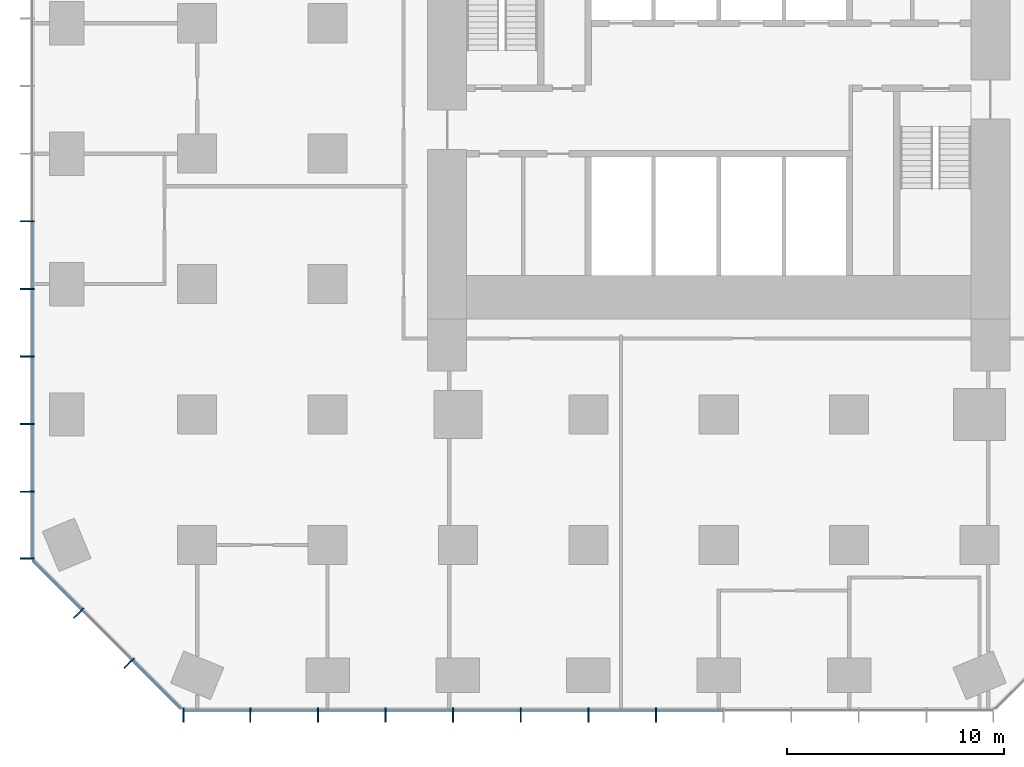
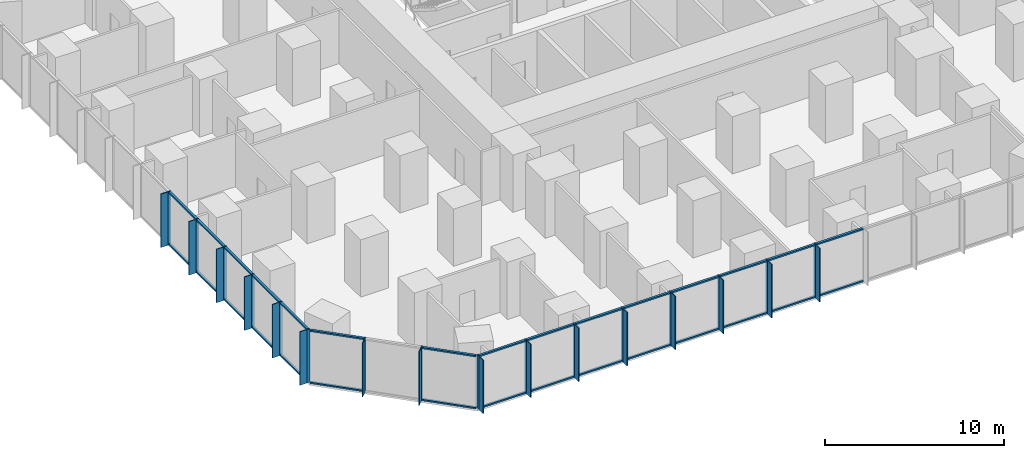
# One storey, part 2 of 12: 62 members, 3 elements without a shape of their own.
"""IFC4 building model written with IfcOpenShell, lengths in metres."""

from ifc_helpers import new_model, si_unit, direction, frame, origin, origin_2d, place, context, subcontext, project, spatial, rectangle, extrude, material, layer, layer_set, material_profile, profile_set, type_object, element, aggregate, save


model = new_model("IFC4")

# Units and contexts
model_context = context("Model", 3, precision=1e-05, world=origin(), true_north=direction((0.0, 1.0)))
body_context = subcontext(model_context, "Body", "Model", "MODEL_VIEW")
ifc_project = project(units=[si_unit("LENGTHUNIT", "METRE"), si_unit("AREAUNIT", "SQUARE_METRE"), si_unit("VOLUMEUNIT", "CUBIC_METRE"), si_unit("PLANEANGLEUNIT", "RADIAN"), si_unit("MASSUNIT", "GRAM", prefix="KILO")], contexts=[model_context])

# Site, building, storey
site_placement = place(None, origin())
site = spatial("IfcSite", under=ifc_project, at=site_placement, CompositionType="ELEMENT")
building_placement = place(site_placement, origin())
building = spatial("IfcBuilding", under=site, at=building_placement, Name="Highveld Stack Headquarters", CompositionType="ELEMENT")
storey_placement = place(building_placement, frame((0.0, 0.0, 37.699951171875)))
storey = spatial("IfcBuildingStorey", under=building, at=storey_placement, Name="L08", CompositionType="ELEMENT", Elevation=37.699951171875)

# Curtain wall, members
ifc_material_1 = material(Name="Aluminium bronze anodised", Category="aluminium")
ifc_layer_1 = layer(ifc_material_1, 0.199951171875)
ifc_layer_set_1 = layer_set([ifc_layer_1], Name="Aluminium bronze anodised")
curtain_wall_type_1 = type_object("IfcCurtainWallType", Name="CW1 TOWER UNITISED CURTAIN WALL", PredefinedType="NOTDEFINED", material=ifc_layer_set_1)
curtain_wall_1_placement = place(storey_placement, origin())
curtain_wall_1 = element("IfcCurtainWall", 1, at=curtain_wall_1_placement, inside=storey, type_object=curtain_wall_type_1, Name="Curtain wall CW1 L08 S", PredefinedType="NOTDEFINED")
ifc_material_2 = material(Name="Aluminium bronze anodised", Category="aluminium")
ifc_material_profile_1 = material_profile(ifc_material_2, rectangle(XDim=0.449951171875, YDim=0.06005859375, at=origin_2d()), Name="FIN 450x60")
ifc_profile_set_1 = profile_set([ifc_material_profile_1], Name="Aluminium bronze anodised")
member_type_1 = type_object("IfcMemberType", Name="CW1 BRONZE FIN 450x60", PredefinedType="USERDEFINED", material=ifc_profile_set_1)
member_1_placement = place(storey_placement, frame((-18.630126953125, -25.925048828125, 0.0), z_axis=(0.0, 0.0, 1.0), x_axis=(0.0, 1.0, 0.0)))
member_1 = element("IfcMember", 2, at=member_1_placement, type_object=member_type_1, Name="CW1 fin L08 1", ObjectType="FIN", PredefinedType="USERDEFINED", context=body_context, shape_type="SweptSolid", body=[
    extrude(rectangle(XDim=0.449951171875, YDim=0.06005859375, at=origin_2d()), origin(), (0.0, 0.0, 1.0), 3.650146484375),
])
member_2_placement = place(storey_placement, frame((-15.55224609375, -25.925048828125, 0.0), z_axis=(0.0, 0.0, 1.0), x_axis=(0.0, 1.0, 0.0)))
member_2 = element("IfcMember", 3, at=member_2_placement, type_object=member_type_1, Name="CW1 fin L08 2", ObjectType="FIN", PredefinedType="USERDEFINED", context=body_context, shape_type="SweptSolid", body=[
    extrude(rectangle(XDim=0.449951171875, YDim=0.06005859375, at=origin_2d()), origin(), (0.0, 0.0, 1.0), 3.650146484375),
])
member_3_placement = place(storey_placement, frame((-12.44189453125, -25.925048828125, 0.0), z_axis=(0.0, 0.0, 1.0), x_axis=(0.0, 1.0, 0.0)))
member_3 = element("IfcMember", 4, at=member_3_placement, type_object=member_type_1, Name="CW1 fin L08 3", ObjectType="FIN", PredefinedType="USERDEFINED", context=body_context, shape_type="SweptSolid", body=[
    extrude(rectangle(XDim=0.449951171875, YDim=0.06005859375, at=origin_2d()), origin(), (0.0, 0.0, 1.0), 3.650146484375),
])
member_4_placement = place(storey_placement, frame((-9.331298828125, -25.925048828125, 0.0), z_axis=(0.0, 0.0, 1.0), x_axis=(0.0, 1.0, 0.0)))
member_4 = element("IfcMember", 5, at=member_4_placement, type_object=member_type_1, Name="CW1 fin L08 4", ObjectType="FIN", PredefinedType="USERDEFINED", context=body_context, shape_type="SweptSolid", body=[
    extrude(rectangle(XDim=0.449951171875, YDim=0.06005859375, at=origin_2d()), origin(), (0.0, 0.0, 1.0), 3.650146484375),
])
member_5_placement = place(storey_placement, frame((-6.220947265625, -25.925048828125, 0.0), z_axis=(0.0, 0.0, 1.0), x_axis=(0.0, 1.0, 0.0)))
member_5 = element("IfcMember", 6, at=member_5_placement, type_object=member_type_1, Name="CW1 fin L08 5", ObjectType="FIN", PredefinedType="USERDEFINED", context=body_context, shape_type="SweptSolid", body=[
    extrude(rectangle(XDim=0.449951171875, YDim=0.06005859375, at=origin_2d()), origin(), (0.0, 0.0, 1.0), 3.650146484375),
])
member_6_placement = place(storey_placement, frame((-3.110595703125, -25.925048828125, 0.0), z_axis=(0.0, 0.0, 1.0), x_axis=(0.0, 1.0, 0.0)))
member_6 = element("IfcMember", 7, at=member_6_placement, type_object=member_type_1, Name="CW1 fin L08 6", ObjectType="FIN", PredefinedType="USERDEFINED", context=body_context, shape_type="SweptSolid", body=[
    extrude(rectangle(XDim=0.449951171875, YDim=0.06005859375, at=origin_2d()), origin(), (0.0, 0.0, 1.0), 3.650146484375),
])
member_7_placement = place(storey_placement, frame((0.0, -25.925048828125, 0.0), z_axis=(0.0, 0.0, 1.0), x_axis=(0.0, 1.0, 0.0)))
member_7 = element("IfcMember", 8, at=member_7_placement, type_object=member_type_1, Name="CW1 fin L08 7", ObjectType="FIN", PredefinedType="USERDEFINED", context=body_context, shape_type="SweptSolid", body=[
    extrude(rectangle(XDim=0.449951171875, YDim=0.06005859375, at=origin_2d()), origin(), (0.0, 0.0, 1.0), 3.650146484375),
])
member_8_placement = place(storey_placement, frame((3.110595703125, -25.925048828125, 0.0), z_axis=(0.0, 0.0, 1.0), x_axis=(0.0, 1.0, 0.0)))
member_8 = element("IfcMember", 9, at=member_8_placement, type_object=member_type_1, Name="CW1 fin L08 8", ObjectType="FIN", PredefinedType="USERDEFINED", context=body_context, shape_type="SweptSolid", body=[
    extrude(rectangle(XDim=0.449951171875, YDim=0.06005859375, at=origin_2d()), origin(), (0.0, 0.0, 1.0), 3.650146484375),
])

curtain_wall_2_placement = place(storey_placement, origin())
curtain_wall_2 = element("IfcCurtainWall", 10, at=curtain_wall_2_placement, inside=storey, type_object=curtain_wall_type_1, Name="Curtain wall CW1 L08 W", PredefinedType="NOTDEFINED")
member_9_placement = place(storey_placement, frame((-25.925048828125, -3.110595703125, 0.0), z_axis=(0.0, 0.0, 1.0), x_axis=(1.0, 0.0, 0.0)))
member_9 = element("IfcMember", 11, at=member_9_placement, type_object=member_type_1, Name="CW1 fin L08 8", ObjectType="FIN", PredefinedType="USERDEFINED", context=body_context, shape_type="SweptSolid", body=[
    extrude(rectangle(XDim=0.449951171875, YDim=0.06005859375, at=origin_2d()), origin(), (0.0, 0.0, 1.0), 3.650146484375),
])
member_10_placement = place(storey_placement, frame((-25.925048828125, -6.220947265625, 0.0), z_axis=(0.0, 0.0, 1.0), x_axis=(1.0, 0.0, 0.0)))
member_10 = element("IfcMember", 12, at=member_10_placement, type_object=member_type_1, Name="CW1 fin L08 9", ObjectType="FIN", PredefinedType="USERDEFINED", context=body_context, shape_type="SweptSolid", body=[
    extrude(rectangle(XDim=0.449951171875, YDim=0.06005859375, at=origin_2d()), origin(), (0.0, 0.0, 1.0), 3.650146484375),
])
member_11_placement = place(storey_placement, frame((-25.925048828125, -9.331298828125, 0.0), z_axis=(0.0, 0.0, 1.0), x_axis=(1.0, 0.0, 0.0)))
member_11 = element("IfcMember", 13, at=member_11_placement, type_object=member_type_1, Name="CW1 fin L08 10", ObjectType="FIN", PredefinedType="USERDEFINED", context=body_context, shape_type="SweptSolid", body=[
    extrude(rectangle(XDim=0.449951171875, YDim=0.06005859375, at=origin_2d()), origin(), (0.0, 0.0, 1.0), 3.650146484375),
])
member_12_placement = place(storey_placement, frame((-25.925048828125, -12.44189453125, 0.0), z_axis=(0.0, 0.0, 1.0), x_axis=(1.0, 0.0, 0.0)))
member_12 = element("IfcMember", 14, at=member_12_placement, type_object=member_type_1, Name="CW1 fin L08 11", ObjectType="FIN", PredefinedType="USERDEFINED", context=body_context, shape_type="SweptSolid", body=[
    extrude(rectangle(XDim=0.449951171875, YDim=0.06005859375, at=origin_2d()), origin(), (0.0, 0.0, 1.0), 3.650146484375),
])
member_13_placement = place(storey_placement, frame((-25.925048828125, -15.55224609375, 0.0), z_axis=(0.0, 0.0, 1.0), x_axis=(1.0, 0.0, 0.0)))
member_13 = element("IfcMember", 15, at=member_13_placement, type_object=member_type_1, Name="CW1 fin L08 12", ObjectType="FIN", PredefinedType="USERDEFINED", context=body_context, shape_type="SweptSolid", body=[
    extrude(rectangle(XDim=0.449951171875, YDim=0.06005859375, at=origin_2d()), origin(), (0.0, 0.0, 1.0), 3.650146484375),
])
member_14_placement = place(storey_placement, frame((-25.925048828125, -18.630126953125, 0.0), z_axis=(0.0, 0.0, 1.0), x_axis=(1.0, 0.0, 0.0)))
member_14 = element("IfcMember", 16, at=member_14_placement, type_object=member_type_1, Name="CW1 fin L08 13", ObjectType="FIN", PredefinedType="USERDEFINED", context=body_context, shape_type="SweptSolid", body=[
    extrude(rectangle(XDim=0.449951171875, YDim=0.06005859375, at=origin_2d()), origin(), (0.0, 0.0, 1.0), 3.650146484375),
])

# Member
ifc_material_3 = material(Name="Aluminium bronze anodised", Category="aluminium")
ifc_material_profile_2 = material_profile(ifc_material_3, rectangle(XDim=0.199951171875, YDim=0.06494140625, at=origin_2d()), Name="CW1 MULLION 65x200")
ifc_profile_set_2 = profile_set([ifc_material_profile_2], Name="Aluminium bronze anodised")
member_type_2 = type_object("IfcMemberType", Name="CW1 MULLION 65x200", PredefinedType="MULLION", material=ifc_profile_set_2)
member_15_placement = place(storey_placement, frame((-18.630126953125, -25.60009765625, 0.0), z_axis=(0.0, 0.0, 1.0), x_axis=(0.0, 1.0, 0.0)))
member_15 = element("IfcMember", 17, at=member_15_placement, type_object=member_type_2, Name="CW1 mullion L08 1", PredefinedType="MULLION", context=body_context, shape_type="SweptSolid", body=[
    extrude(rectangle(XDim=0.199951171875, YDim=0.06494140625, at=origin_2d()), origin(), (0.0, 0.0, 1.0), 3.650146484375),
])

member_16_placement = place(storey_placement, frame((-15.55224609375, -25.60009765625, 0.0), z_axis=(0.0, 0.0, 1.0), x_axis=(0.0, 1.0, 0.0)))
member_16 = element("IfcMember", 18, at=member_16_placement, type_object=member_type_2, Name="CW1 mullion L08 2", PredefinedType="MULLION", context=body_context, shape_type="SweptSolid", body=[
    extrude(rectangle(XDim=0.199951171875, YDim=0.06494140625, at=origin_2d()), origin(), (0.0, 0.0, 1.0), 3.650146484375),
])

member_17_placement = place(storey_placement, frame((-12.44189453125, -25.60009765625, 0.0), z_axis=(0.0, 0.0, 1.0), x_axis=(0.0, 1.0, 0.0)))
member_17 = element("IfcMember", 19, at=member_17_placement, type_object=member_type_2, Name="CW1 mullion L08 3", PredefinedType="MULLION", context=body_context, shape_type="SweptSolid", body=[
    extrude(rectangle(XDim=0.199951171875, YDim=0.06494140625, at=origin_2d()), origin(), (0.0, 0.0, 1.0), 3.650146484375),
])

member_18_placement = place(storey_placement, frame((-9.331298828125, -25.60009765625, 0.0), z_axis=(0.0, 0.0, 1.0), x_axis=(0.0, 1.0, 0.0)))
member_18 = element("IfcMember", 20, at=member_18_placement, type_object=member_type_2, Name="CW1 mullion L08 4", PredefinedType="MULLION", context=body_context, shape_type="SweptSolid", body=[
    extrude(rectangle(XDim=0.199951171875, YDim=0.06494140625, at=origin_2d()), origin(), (0.0, 0.0, 1.0), 3.650146484375),
])

member_19_placement = place(storey_placement, frame((-6.220947265625, -25.60009765625, 0.0), z_axis=(0.0, 0.0, 1.0), x_axis=(0.0, 1.0, 0.0)))
member_19 = element("IfcMember", 21, at=member_19_placement, type_object=member_type_2, Name="CW1 mullion L08 5", PredefinedType="MULLION", context=body_context, shape_type="SweptSolid", body=[
    extrude(rectangle(XDim=0.199951171875, YDim=0.06494140625, at=origin_2d()), origin(), (0.0, 0.0, 1.0), 3.650146484375),
])

member_20_placement = place(storey_placement, frame((-3.110595703125, -25.60009765625, 0.0), z_axis=(0.0, 0.0, 1.0), x_axis=(0.0, 1.0, 0.0)))
member_20 = element("IfcMember", 22, at=member_20_placement, type_object=member_type_2, Name="CW1 mullion L08 6", PredefinedType="MULLION", context=body_context, shape_type="SweptSolid", body=[
    extrude(rectangle(XDim=0.199951171875, YDim=0.06494140625, at=origin_2d()), origin(), (0.0, 0.0, 1.0), 3.650146484375),
])

member_21_placement = place(storey_placement, frame((0.0, -25.60009765625, 0.0), z_axis=(0.0, 0.0, 1.0), x_axis=(0.0, 1.0, 0.0)))
member_21 = element("IfcMember", 23, at=member_21_placement, type_object=member_type_2, Name="CW1 mullion L08 7", PredefinedType="MULLION", context=body_context, shape_type="SweptSolid", body=[
    extrude(rectangle(XDim=0.199951171875, YDim=0.06494140625, at=origin_2d()), origin(), (0.0, 0.0, 1.0), 3.650146484375),
])

member_22_placement = place(storey_placement, frame((3.110595703125, -25.60009765625, 0.0), z_axis=(0.0, 0.0, 1.0), x_axis=(0.0, 1.0, 0.0)))
member_22 = element("IfcMember", 24, at=member_22_placement, type_object=member_type_2, Name="CW1 mullion L08 8", PredefinedType="MULLION", context=body_context, shape_type="SweptSolid", body=[
    extrude(rectangle(XDim=0.199951171875, YDim=0.06494140625, at=origin_2d()), origin(), (0.0, 0.0, 1.0), 3.650146484375),
])

member_23_placement = place(storey_placement, frame((-25.60009765625, -3.110595703125, 0.0), z_axis=(0.0, 0.0, 1.0), x_axis=(1.0, 0.0, 0.0)))
member_23 = element("IfcMember", 25, at=member_23_placement, type_object=member_type_2, Name="CW1 mullion L08 8", PredefinedType="MULLION", context=body_context, shape_type="SweptSolid", body=[
    extrude(rectangle(XDim=0.199951171875, YDim=0.06494140625, at=origin_2d()), origin(), (0.0, 0.0, 1.0), 3.650146484375),
])

member_24_placement = place(storey_placement, frame((-25.60009765625, -6.220947265625, 0.0), z_axis=(0.0, 0.0, 1.0), x_axis=(1.0, 0.0, 0.0)))
member_24 = element("IfcMember", 26, at=member_24_placement, type_object=member_type_2, Name="CW1 mullion L08 9", PredefinedType="MULLION", context=body_context, shape_type="SweptSolid", body=[
    extrude(rectangle(XDim=0.199951171875, YDim=0.06494140625, at=origin_2d()), origin(), (0.0, 0.0, 1.0), 3.650146484375),
])

member_25_placement = place(storey_placement, frame((-25.60009765625, -9.331298828125, 0.0), z_axis=(0.0, 0.0, 1.0), x_axis=(1.0, 0.0, 0.0)))
member_25 = element("IfcMember", 27, at=member_25_placement, type_object=member_type_2, Name="CW1 mullion L08 10", PredefinedType="MULLION", context=body_context, shape_type="SweptSolid", body=[
    extrude(rectangle(XDim=0.199951171875, YDim=0.06494140625, at=origin_2d()), origin(), (0.0, 0.0, 1.0), 3.650146484375),
])

member_26_placement = place(storey_placement, frame((-25.60009765625, -12.44189453125, 0.0), z_axis=(0.0, 0.0, 1.0), x_axis=(1.0, 0.0, 0.0)))
member_26 = element("IfcMember", 28, at=member_26_placement, type_object=member_type_2, Name="CW1 mullion L08 11", PredefinedType="MULLION", context=body_context, shape_type="SweptSolid", body=[
    extrude(rectangle(XDim=0.199951171875, YDim=0.06494140625, at=origin_2d()), origin(), (0.0, 0.0, 1.0), 3.650146484375),
])

member_27_placement = place(storey_placement, frame((-25.60009765625, -15.55224609375, 0.0), z_axis=(0.0, 0.0, 1.0), x_axis=(1.0, 0.0, 0.0)))
member_27 = element("IfcMember", 29, at=member_27_placement, type_object=member_type_2, Name="CW1 mullion L08 12", PredefinedType="MULLION", context=body_context, shape_type="SweptSolid", body=[
    extrude(rectangle(XDim=0.199951171875, YDim=0.06494140625, at=origin_2d()), origin(), (0.0, 0.0, 1.0), 3.650146484375),
])

member_28_placement = place(storey_placement, frame((-25.60009765625, -18.630126953125, 0.0), z_axis=(0.0, 0.0, 1.0), x_axis=(1.0, 0.0, 0.0)))
member_28 = element("IfcMember", 30, at=member_28_placement, type_object=member_type_2, Name="CW1 mullion L08 13", PredefinedType="MULLION", context=body_context, shape_type="SweptSolid", body=[
    extrude(rectangle(XDim=0.199951171875, YDim=0.06494140625, at=origin_2d()), origin(), (0.0, 0.0, 1.0), 3.650146484375),
])

ifc_material_4 = material(Name="Aluminium bronze anodised", Category="aluminium")
ifc_material_profile_3 = material_profile(ifc_material_4, rectangle(XDim=0.14990234375, YDim=0.10009765625, at=origin_2d()), Name="CW1 TRANSOM 150x100")
ifc_profile_set_3 = profile_set([ifc_material_profile_3], Name="Aluminium bronze anodised")
member_type_3 = type_object("IfcMemberType", Name="CW1 STACK TRANSOM 150x100", PredefinedType="USERDEFINED", material=ifc_profile_set_3)
member_29_placement = place(storey_placement, frame((-18.59765625, -25.60009765625, 0.050048828125), z_axis=(1.0, 0.0, 0.0), x_axis=(0.0, 1.0, 0.0)))
member_29 = element("IfcMember", 31, at=member_29_placement, type_object=member_type_3, Name="CW1 transom L08 1.1", ObjectType="TRANSOM", PredefinedType="USERDEFINED", context=body_context, shape_type="SweptSolid", body=[
    extrude(rectangle(XDim=0.14990234375, YDim=0.10009765625, at=origin_2d()), origin(), (0.0, 0.0, 1.0), 3.012939453125),
])

member_30_placement = place(storey_placement, frame((-18.59765625, -25.60009765625, 3.60009765625), z_axis=(1.0, 0.0, 0.0), x_axis=(0.0, 1.0, 0.0)))
member_30 = element("IfcMember", 32, at=member_30_placement, type_object=member_type_3, Name="CW1 transom L08 1.2", ObjectType="TRANSOM", PredefinedType="USERDEFINED", context=body_context, shape_type="SweptSolid", body=[
    extrude(rectangle(XDim=0.14990234375, YDim=0.10009765625, at=origin_2d()), origin(), (0.0, 0.0, 1.0), 3.012939453125),
])

member_31_placement = place(storey_placement, frame((-15.519775390625, -25.60009765625, 0.050048828125), z_axis=(1.0, 0.0, 0.0), x_axis=(0.0, 1.0, 0.0)))
member_31 = element("IfcMember", 33, at=member_31_placement, type_object=member_type_3, Name="CW1 transom L08 2.1", ObjectType="TRANSOM", PredefinedType="USERDEFINED", context=body_context, shape_type="SweptSolid", body=[
    extrude(rectangle(XDim=0.14990234375, YDim=0.10009765625, at=origin_2d()), origin(), (0.0, 0.0, 1.0), 3.04541015625),
])

member_32_placement = place(storey_placement, frame((-15.519775390625, -25.60009765625, 3.60009765625), z_axis=(1.0, 0.0, 0.0), x_axis=(0.0, 1.0, 0.0)))
member_32 = element("IfcMember", 34, at=member_32_placement, type_object=member_type_3, Name="CW1 transom L08 2.2", ObjectType="TRANSOM", PredefinedType="USERDEFINED", context=body_context, shape_type="SweptSolid", body=[
    extrude(rectangle(XDim=0.14990234375, YDim=0.10009765625, at=origin_2d()), origin(), (0.0, 0.0, 1.0), 3.04541015625),
])

member_33_placement = place(storey_placement, frame((-12.4091796875, -25.60009765625, 0.050048828125), z_axis=(1.0, 0.0, 0.0), x_axis=(0.0, 1.0, 0.0)))
member_33 = element("IfcMember", 35, at=member_33_placement, type_object=member_type_3, Name="CW1 transom L08 3.1", ObjectType="TRANSOM", PredefinedType="USERDEFINED", context=body_context, shape_type="SweptSolid", body=[
    extrude(rectangle(XDim=0.14990234375, YDim=0.10009765625, at=origin_2d()), origin(), (0.0, 0.0, 1.0), 3.045166015625),
])

member_34_placement = place(storey_placement, frame((-12.4091796875, -25.60009765625, 3.60009765625), z_axis=(1.0, 0.0, 0.0), x_axis=(0.0, 1.0, 0.0)))
member_34 = element("IfcMember", 36, at=member_34_placement, type_object=member_type_3, Name="CW1 transom L08 3.2", ObjectType="TRANSOM", PredefinedType="USERDEFINED", context=body_context, shape_type="SweptSolid", body=[
    extrude(rectangle(XDim=0.14990234375, YDim=0.10009765625, at=origin_2d()), origin(), (0.0, 0.0, 1.0), 3.045166015625),
])

member_35_placement = place(storey_placement, frame((-9.298828125, -25.60009765625, 0.050048828125), z_axis=(1.0, 0.0, 0.0), x_axis=(0.0, 1.0, 0.0)))
member_35 = element("IfcMember", 37, at=member_35_placement, type_object=member_type_3, Name="CW1 transom L08 4.1", ObjectType="TRANSOM", PredefinedType="USERDEFINED", context=body_context, shape_type="SweptSolid", body=[
    extrude(rectangle(XDim=0.14990234375, YDim=0.10009765625, at=origin_2d()), origin(), (0.0, 0.0, 1.0), 3.04541015625),
])

member_36_placement = place(storey_placement, frame((-9.298828125, -25.60009765625, 3.60009765625), z_axis=(1.0, 0.0, 0.0), x_axis=(0.0, 1.0, 0.0)))
member_36 = element("IfcMember", 38, at=member_36_placement, type_object=member_type_3, Name="CW1 transom L08 4.2", ObjectType="TRANSOM", PredefinedType="USERDEFINED", context=body_context, shape_type="SweptSolid", body=[
    extrude(rectangle(XDim=0.14990234375, YDim=0.10009765625, at=origin_2d()), origin(), (0.0, 0.0, 1.0), 3.04541015625),
])

member_37_placement = place(storey_placement, frame((-6.1884765625, -25.60009765625, 0.050048828125), z_axis=(1.0, 0.0, 0.0), x_axis=(0.0, 1.0, 0.0)))
member_37 = element("IfcMember", 39, at=member_37_placement, type_object=member_type_3, Name="CW1 transom L08 5.1", ObjectType="TRANSOM", PredefinedType="USERDEFINED", context=body_context, shape_type="SweptSolid", body=[
    extrude(rectangle(XDim=0.14990234375, YDim=0.10009765625, at=origin_2d()), origin(), (0.0, 0.0, 1.0), 3.04541015625),
])

member_38_placement = place(storey_placement, frame((-6.1884765625, -25.60009765625, 3.60009765625), z_axis=(1.0, 0.0, 0.0), x_axis=(0.0, 1.0, 0.0)))
member_38 = element("IfcMember", 40, at=member_38_placement, type_object=member_type_3, Name="CW1 transom L08 5.2", ObjectType="TRANSOM", PredefinedType="USERDEFINED", context=body_context, shape_type="SweptSolid", body=[
    extrude(rectangle(XDim=0.14990234375, YDim=0.10009765625, at=origin_2d()), origin(), (0.0, 0.0, 1.0), 3.04541015625),
])

member_39_placement = place(storey_placement, frame((-3.077880859375, -25.60009765625, 0.050048828125), z_axis=(1.0, 0.0, 0.0), x_axis=(0.0, 1.0, 0.0)))
member_39 = element("IfcMember", 41, at=member_39_placement, type_object=member_type_3, Name="CW1 transom L08 6.1", ObjectType="TRANSOM", PredefinedType="USERDEFINED", context=body_context, shape_type="SweptSolid", body=[
    extrude(rectangle(XDim=0.14990234375, YDim=0.10009765625, at=origin_2d()), origin(), (0.0, 0.0, 1.0), 3.04541015625),
])

member_40_placement = place(storey_placement, frame((-3.077880859375, -25.60009765625, 3.60009765625), z_axis=(1.0, 0.0, 0.0), x_axis=(0.0, 1.0, 0.0)))
member_40 = element("IfcMember", 42, at=member_40_placement, type_object=member_type_3, Name="CW1 transom L08 6.2", ObjectType="TRANSOM", PredefinedType="USERDEFINED", context=body_context, shape_type="SweptSolid", body=[
    extrude(rectangle(XDim=0.14990234375, YDim=0.10009765625, at=origin_2d()), origin(), (0.0, 0.0, 1.0), 3.04541015625),
])

member_41_placement = place(storey_placement, frame((0.032470703125, -25.60009765625, 0.050048828125), z_axis=(1.0, 0.0, 0.0), x_axis=(0.0, 1.0, 0.0)))
member_41 = element("IfcMember", 43, at=member_41_placement, type_object=member_type_3, Name="CW1 transom L08 7.1", ObjectType="TRANSOM", PredefinedType="USERDEFINED", context=body_context, shape_type="SweptSolid", body=[
    extrude(rectangle(XDim=0.14990234375, YDim=0.10009765625, at=origin_2d()), origin(), (0.0, 0.0, 1.0), 3.04541015625),
])

member_42_placement = place(storey_placement, frame((0.032470703125, -25.60009765625, 3.60009765625), z_axis=(1.0, 0.0, 0.0), x_axis=(0.0, 1.0, 0.0)))
member_42 = element("IfcMember", 44, at=member_42_placement, type_object=member_type_3, Name="CW1 transom L08 7.2", ObjectType="TRANSOM", PredefinedType="USERDEFINED", context=body_context, shape_type="SweptSolid", body=[
    extrude(rectangle(XDim=0.14990234375, YDim=0.10009765625, at=origin_2d()), origin(), (0.0, 0.0, 1.0), 3.04541015625),
])

member_43_placement = place(storey_placement, frame((3.142822265625, -25.60009765625, 0.050048828125), z_axis=(1.0, 0.0, 0.0), x_axis=(0.0, 1.0, 0.0)))
member_43 = element("IfcMember", 45, at=member_43_placement, type_object=member_type_3, Name="CW1 transom L08 8.1", ObjectType="TRANSOM", PredefinedType="USERDEFINED", context=body_context, shape_type="SweptSolid", body=[
    extrude(rectangle(XDim=0.14990234375, YDim=0.10009765625, at=origin_2d()), origin(), (0.0, 0.0, 1.0), 3.045654296875),
])

member_44_placement = place(storey_placement, frame((3.142822265625, -25.60009765625, 3.60009765625), z_axis=(1.0, 0.0, 0.0), x_axis=(0.0, 1.0, 0.0)))
member_44 = element("IfcMember", 46, at=member_44_placement, type_object=member_type_3, Name="CW1 transom L08 8.2", ObjectType="TRANSOM", PredefinedType="USERDEFINED", context=body_context, shape_type="SweptSolid", body=[
    extrude(rectangle(XDim=0.14990234375, YDim=0.10009765625, at=origin_2d()), origin(), (0.0, 0.0, 1.0), 3.045654296875),
])

aggregate(curtain_wall_1, [member_15, member_1, member_16, member_2, member_17, member_3, member_18, member_4, member_19, member_5, member_20, member_6, member_21, member_7, member_22, member_8, member_29, member_30, member_31, member_32, member_33, member_34, member_35, member_36, member_37, member_38, member_39, member_40, member_41, member_42, member_43, member_44])

member_45_placement = place(storey_placement, frame((-25.60009765625, -3.142822265625, 0.050048828125), z_axis=(0.0, -1.0, 0.0), x_axis=(1.0, 0.0, 0.0)))
member_45 = element("IfcMember", 47, at=member_45_placement, type_object=member_type_3, Name="CW1 transom L08 8.1", ObjectType="TRANSOM", PredefinedType="USERDEFINED", context=body_context, shape_type="SweptSolid", body=[
    extrude(rectangle(XDim=0.14990234375, YDim=0.10009765625, at=origin_2d()), origin(), (0.0, 0.0, 1.0), 3.045654296875),
])

member_46_placement = place(storey_placement, frame((-25.60009765625, -3.142822265625, 3.60009765625), z_axis=(0.0, -1.0, 0.0), x_axis=(1.0, 0.0, 0.0)))
member_46 = element("IfcMember", 48, at=member_46_placement, type_object=member_type_3, Name="CW1 transom L08 8.2", ObjectType="TRANSOM", PredefinedType="USERDEFINED", context=body_context, shape_type="SweptSolid", body=[
    extrude(rectangle(XDim=0.14990234375, YDim=0.10009765625, at=origin_2d()), origin(), (0.0, 0.0, 1.0), 3.045654296875),
])

member_47_placement = place(storey_placement, frame((-25.60009765625, -6.25341796875, 0.050048828125), z_axis=(0.0, -1.0, 0.0), x_axis=(1.0, 0.0, 0.0)))
member_47 = element("IfcMember", 49, at=member_47_placement, type_object=member_type_3, Name="CW1 transom L08 9.1", ObjectType="TRANSOM", PredefinedType="USERDEFINED", context=body_context, shape_type="SweptSolid", body=[
    extrude(rectangle(XDim=0.14990234375, YDim=0.10009765625, at=origin_2d()), origin(), (0.0, 0.0, 1.0), 3.04541015625),
])

member_48_placement = place(storey_placement, frame((-25.60009765625, -6.25341796875, 3.60009765625), z_axis=(0.0, -1.0, 0.0), x_axis=(1.0, 0.0, 0.0)))
member_48 = element("IfcMember", 50, at=member_48_placement, type_object=member_type_3, Name="CW1 transom L08 9.2", ObjectType="TRANSOM", PredefinedType="USERDEFINED", context=body_context, shape_type="SweptSolid", body=[
    extrude(rectangle(XDim=0.14990234375, YDim=0.10009765625, at=origin_2d()), origin(), (0.0, 0.0, 1.0), 3.04541015625),
])

member_49_placement = place(storey_placement, frame((-25.60009765625, -9.36376953125, 0.050048828125), z_axis=(0.0, -1.0, 0.0), x_axis=(1.0, 0.0, 0.0)))
member_49 = element("IfcMember", 51, at=member_49_placement, type_object=member_type_3, Name="CW1 transom L08 10.1", ObjectType="TRANSOM", PredefinedType="USERDEFINED", context=body_context, shape_type="SweptSolid", body=[
    extrude(rectangle(XDim=0.14990234375, YDim=0.10009765625, at=origin_2d()), origin(), (0.0, 0.0, 1.0), 3.04541015625),
])

member_50_placement = place(storey_placement, frame((-25.60009765625, -9.36376953125, 3.60009765625), z_axis=(0.0, -1.0, 0.0), x_axis=(1.0, 0.0, 0.0)))
member_50 = element("IfcMember", 52, at=member_50_placement, type_object=member_type_3, Name="CW1 transom L08 10.2", ObjectType="TRANSOM", PredefinedType="USERDEFINED", context=body_context, shape_type="SweptSolid", body=[
    extrude(rectangle(XDim=0.14990234375, YDim=0.10009765625, at=origin_2d()), origin(), (0.0, 0.0, 1.0), 3.04541015625),
])

member_51_placement = place(storey_placement, frame((-25.60009765625, -12.474365234375, 0.050048828125), z_axis=(0.0, -1.0, 0.0), x_axis=(1.0, 0.0, 0.0)))
member_51 = element("IfcMember", 53, at=member_51_placement, type_object=member_type_3, Name="CW1 transom L08 11.1", ObjectType="TRANSOM", PredefinedType="USERDEFINED", context=body_context, shape_type="SweptSolid", body=[
    extrude(rectangle(XDim=0.14990234375, YDim=0.10009765625, at=origin_2d()), origin(), (0.0, 0.0, 1.0), 3.04541015625),
])

member_52_placement = place(storey_placement, frame((-25.60009765625, -12.474365234375, 3.60009765625), z_axis=(0.0, -1.0, 0.0), x_axis=(1.0, 0.0, 0.0)))
member_52 = element("IfcMember", 54, at=member_52_placement, type_object=member_type_3, Name="CW1 transom L08 11.2", ObjectType="TRANSOM", PredefinedType="USERDEFINED", context=body_context, shape_type="SweptSolid", body=[
    extrude(rectangle(XDim=0.14990234375, YDim=0.10009765625, at=origin_2d()), origin(), (0.0, 0.0, 1.0), 3.04541015625),
])

member_53_placement = place(storey_placement, frame((-25.60009765625, -15.584716796875, 0.050048828125), z_axis=(0.0, -1.0, 0.0), x_axis=(1.0, 0.0, 0.0)))
member_53 = element("IfcMember", 55, at=member_53_placement, type_object=member_type_3, Name="CW1 transom L08 12.1", ObjectType="TRANSOM", PredefinedType="USERDEFINED", context=body_context, shape_type="SweptSolid", body=[
    extrude(rectangle(XDim=0.14990234375, YDim=0.10009765625, at=origin_2d()), origin(), (0.0, 0.0, 1.0), 3.012939453125),
])

member_54_placement = place(storey_placement, frame((-25.60009765625, -15.584716796875, 3.60009765625), z_axis=(0.0, -1.0, 0.0), x_axis=(1.0, 0.0, 0.0)))
member_54 = element("IfcMember", 56, at=member_54_placement, type_object=member_type_3, Name="CW1 transom L08 12.2", ObjectType="TRANSOM", PredefinedType="USERDEFINED", context=body_context, shape_type="SweptSolid", body=[
    extrude(rectangle(XDim=0.14990234375, YDim=0.10009765625, at=origin_2d()), origin(), (0.0, 0.0, 1.0), 3.012939453125),
])

aggregate(curtain_wall_2, [member_23, member_9, member_24, member_10, member_25, member_11, member_26, member_12, member_27, member_13, member_28, member_14, member_45, member_46, member_47, member_48, member_49, member_50, member_51, member_52, member_53, member_54])

# Curtain wall, members
ifc_material_5 = material(Name="Aluminium bronze anodised", Category="aluminium")
ifc_layer_2 = layer(ifc_material_5, 0.199951171875)
ifc_layer_set_2 = layer_set([ifc_layer_2], Name="Aluminium bronze anodised")
curtain_wall_type_2 = type_object("IfcCurtainWallType", Name="CW2 TOWER CHAMFER UNITISED CURTAIN WALL", PredefinedType="NOTDEFINED", material=ifc_layer_set_2)
curtain_wall_3_placement = place(storey_placement, origin())
curtain_wall_3 = element("IfcCurtainWall", 57, at=curtain_wall_3_placement, inside=storey, type_object=curtain_wall_type_2, Name="Curtain wall CW2 L08 SW", PredefinedType="NOTDEFINED")
ifc_material_6 = material(Name="Aluminium bronze anodised", Category="aluminium")
ifc_material_profile_4 = material_profile(ifc_material_6, rectangle(XDim=0.449951171875, YDim=0.06005859375, at=origin_2d()), Name="FIN 450x60")
ifc_profile_set_4 = profile_set([ifc_material_profile_4], Name="Aluminium bronze anodised")
member_type_4 = type_object("IfcMemberType", Name="CW2 BRONZE FIN 450x60", PredefinedType="USERDEFINED", material=ifc_profile_set_4)
member_55_placement = place(storey_placement, frame((-23.517333984375, -21.204833984375, 0.0), z_axis=(0.0, 0.0, 1.0), x_axis=(0.707106781187, 0.707106781187, 0.0)))
member_55 = element("IfcMember", 58, at=member_55_placement, type_object=member_type_4, Name="CW2 fin L08 1", ObjectType="FIN", PredefinedType="USERDEFINED", context=body_context, shape_type="SweptSolid", body=[
    extrude(rectangle(XDim=0.449951171875, YDim=0.06005859375, at=origin_2d()), origin(), (0.0, 0.0, 1.0), 3.650146484375),
])
member_56_placement = place(storey_placement, frame((-21.204833984375, -23.517333984375, 0.0), z_axis=(0.0, 0.0, 1.0), x_axis=(0.707106781187, 0.707106781187, 0.0)))
member_56 = element("IfcMember", 59, at=member_56_placement, type_object=member_type_4, Name="CW2 fin L08 2", ObjectType="FIN", PredefinedType="USERDEFINED", context=body_context, shape_type="SweptSolid", body=[
    extrude(rectangle(XDim=0.449951171875, YDim=0.06005859375, at=origin_2d()), origin(), (0.0, 0.0, 1.0), 3.650146484375),
])
ifc_material_7 = material(Name="Aluminium bronze anodised", Category="aluminium")
ifc_material_profile_5 = material_profile(ifc_material_7, rectangle(XDim=0.199951171875, YDim=0.06494140625, at=origin_2d()), Name="CW2 MULLION 65x200")
ifc_profile_set_5 = profile_set([ifc_material_profile_5], Name="Aluminium bronze anodised")
member_type_5 = type_object("IfcMemberType", Name="CW2 MULLION 65x200", PredefinedType="MULLION", material=ifc_profile_set_5)
member_57_placement = place(storey_placement, frame((-23.28759765625, -20.97509765625, 0.0), z_axis=(0.0, 0.0, 1.0), x_axis=(0.707106781187, 0.707106781187, 0.0)))
member_57 = element("IfcMember", 60, at=member_57_placement, type_object=member_type_5, Name="CW2 mullion L08 1", PredefinedType="MULLION", context=body_context, shape_type="SweptSolid", body=[
    extrude(rectangle(XDim=0.199951171875, YDim=0.06494140625, at=origin_2d()), origin(), (0.0, 0.0, 1.0), 3.650146484375),
])
member_58_placement = place(storey_placement, frame((-20.97509765625, -23.28759765625, 0.0), z_axis=(0.0, 0.0, 1.0), x_axis=(0.707106781187, 0.707106781187, 0.0)))
member_58 = element("IfcMember", 61, at=member_58_placement, type_object=member_type_5, Name="CW2 mullion L08 2", PredefinedType="MULLION", context=body_context, shape_type="SweptSolid", body=[
    extrude(rectangle(XDim=0.199951171875, YDim=0.06494140625, at=origin_2d()), origin(), (0.0, 0.0, 1.0), 3.650146484375),
])
ifc_material_8 = material(Name="Aluminium bronze anodised", Category="aluminium")
ifc_material_profile_6 = material_profile(ifc_material_8, rectangle(XDim=0.14990234375, YDim=0.10009765625, at=origin_2d()), Name="CW2 TRANSOM 150x100")
ifc_profile_set_6 = profile_set([ifc_material_profile_6], Name="Aluminium bronze anodised")
member_type_6 = type_object("IfcMemberType", Name="CW2 STACK TRANSOM 150x100", PredefinedType="USERDEFINED", material=ifc_profile_set_6)
member_59_placement = place(storey_placement, frame((-25.529296875, -18.7333984375, 0.050048828125), z_axis=(0.707106781187, -0.707106781187, 0.0), x_axis=(0.707106781187, 0.707106781187, 0.0)))
member_59 = element("IfcMember", 62, at=member_59_placement, type_object=member_type_6, Name="CW2 transom L08 1.1", ObjectType="TRANSOM", PredefinedType="USERDEFINED", context=body_context, shape_type="SweptSolid", body=[
    extrude(rectangle(XDim=0.14990234375, YDim=0.10009765625, at=origin_2d()), origin(), (0.0, 0.0, 1.0), 3.1376953125),
])
member_60_placement = place(storey_placement, frame((-25.529296875, -18.7333984375, 3.60009765625), z_axis=(0.707106781187, -0.707106781187, 0.0), x_axis=(0.707106781187, 0.707106781187, 0.0)))
member_60 = element("IfcMember", 63, at=member_60_placement, type_object=member_type_6, Name="CW2 transom L08 1.2", ObjectType="TRANSOM", PredefinedType="USERDEFINED", context=body_context, shape_type="SweptSolid", body=[
    extrude(rectangle(XDim=0.14990234375, YDim=0.10009765625, at=origin_2d()), origin(), (0.0, 0.0, 1.0), 3.1376953125),
])
member_61_placement = place(storey_placement, frame((-20.9521484375, -23.310546875, 0.050048828125), z_axis=(0.707106781187, -0.707106781187, 0.0), x_axis=(0.707106781187, 0.707106781187, 0.0)))
member_61 = element("IfcMember", 64, at=member_61_placement, type_object=member_type_6, Name="CW2 transom L08 3.1", ObjectType="TRANSOM", PredefinedType="USERDEFINED", context=body_context, shape_type="SweptSolid", body=[
    extrude(rectangle(XDim=0.14990234375, YDim=0.10009765625, at=origin_2d()), origin(), (0.0, 0.0, 1.0), 3.1376953125),
])
member_62_placement = place(storey_placement, frame((-20.9521484375, -23.310546875, 3.60009765625), z_axis=(0.707106781187, -0.707106781187, 0.0), x_axis=(0.707106781187, 0.707106781187, 0.0)))
member_62 = element("IfcMember", 65, at=member_62_placement, type_object=member_type_6, Name="CW2 transom L08 3.2", ObjectType="TRANSOM", PredefinedType="USERDEFINED", context=body_context, shape_type="SweptSolid", body=[
    extrude(rectangle(XDim=0.14990234375, YDim=0.10009765625, at=origin_2d()), origin(), (0.0, 0.0, 1.0), 3.1376953125),
])
aggregate(curtain_wall_3, [member_57, member_55, member_58, member_56, member_59, member_60, member_61, member_62])

save(model, "model.ifc")
